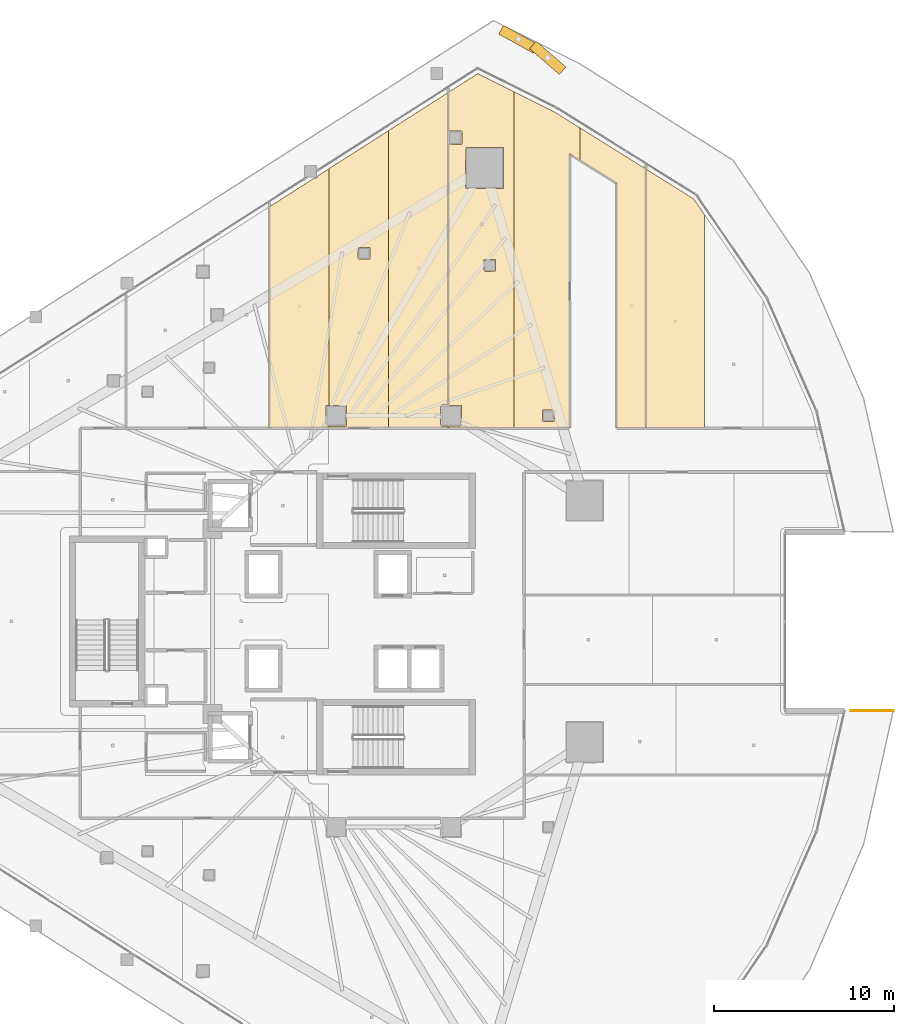
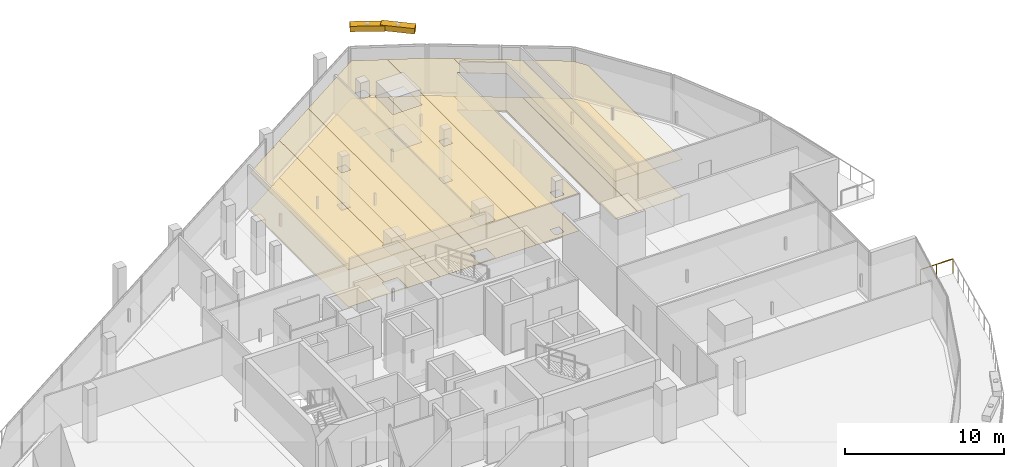
# One storey, part 42 of 42: 14 coverings, 2 shading devices, 1 railing.
"""IFC4 building model written with IfcOpenShell, lengths in metres."""

import ifcopenshell
import ifcopenshell.guid

model = None  # the IFC model being written
_history = None  # IfcOwnerHistory: only IFC2X3 demands one
_inside = {}  # id of a spatial element -> (the spatial element, [elements in it])
_under = {}  # id of a project, library or spatial element -> (it, [spatial elements below it])
_declared = {}  # id of a project -> (the project, [libraries it declares])
_typed = {}  # id of a type object -> (the type object, [elements of that type])
_made_of = {}  # id of a material, layer set ... -> (it, [elements and type objects made of it])


def new_model(schema):
    """Start an empty IFC model of exactly this schema.

    Asked for "IFC4X3", IfcOpenShell would pick the latest addendum, in which some entities
    have other attributes; the version numbers below select the first issue.
    IFC2X3 requires an IfcOwnerHistory on every rooted entity: one is made here for all.
    """
    global model, _history
    if schema == "IFC4X3":
        model = ifcopenshell.file(schema_version=(4, 3, 0, 0))
    else:
        model = ifcopenshell.file(schema=schema)
    _inside.clear()
    _under.clear()
    _declared.clear()
    _typed.clear()
    _made_of.clear()
    _history = None
    if model.schema == "IFC2X3":
        org = make("IfcOrganization", Name="unknown")
        user = make(
            "IfcPersonAndOrganization",
            ThePerson=make("IfcPerson", FamilyName="unknown"),
            TheOrganization=org,
        )
        app = make(
            "IfcApplication",
            ApplicationDeveloper=org,
            Version="unknown",
            ApplicationFullName="unknown",
            ApplicationIdentifier="unknown",
        )
        _history = make(
            "IfcOwnerHistory",
            OwningUser=user,
            OwningApplication=app,
            ChangeAction="ADDED",
            CreationDate=0,
        )
    return model


def make(cls, **values):
    """One entity of the class cls with the attributes given. An attribute that is None is left unset."""
    return model.create_entity(
        cls, **{name: value for name, value in values.items() if value is not None}
    )


def rooted(cls, **values):
    """An entity with a GlobalId (a new one), such as an element, a storey or a relation."""
    return make(cls, GlobalId=ifcopenshell.guid.new(), OwnerHistory=_history, **values)


def si_unit(unit_type, name, prefix=None):
    """IfcSIUnit, for example si_unit("LENGTHUNIT", "METRE", prefix="MILLI")."""
    return make("IfcSIUnit", UnitType=unit_type, Prefix=prefix, Name=name)


def assignment(units):
    """IfcUnitAssignment: the units of a project."""
    return None if units is None else make("IfcUnitAssignment", Units=units)


def point(xyz):
    """IfcCartesianPoint."""
    return None if xyz is None else make("IfcCartesianPoint", Coordinates=xyz)


def direction(xyz):
    """IfcDirection."""
    return None if xyz is None else make("IfcDirection", DirectionRatios=xyz)


def frame(location, z_axis=None, x_axis=None):
    """IfcAxis2Placement3D, a coordinate frame: its origin and axes. An axis left out is left unset."""
    return make(
        "IfcAxis2Placement3D",
        Location=point(location),
        Axis=direction(z_axis),
        RefDirection=direction(x_axis),
    )


def frame_2d(location, x_axis=None):
    """IfcAxis2Placement2D, a coordinate frame in the plane: its origin and x axis."""
    return make(
        "IfcAxis2Placement2D", Location=point(location), RefDirection=direction(x_axis)
    )


def origin():
    """The frame at (0, 0, 0) with its axes left unset."""
    return frame((0.0, 0.0, 0.0))


def origin_2d():
    """The frame at (0, 0) in the plane with its x axis left unset."""
    return frame_2d((0.0, 0.0))


def place(relative_to, where):
    """IfcLocalPlacement: puts the frame where relative to a parent placement (None: the world)."""
    return make(
        "IfcLocalPlacement", PlacementRelTo=relative_to, RelativePlacement=where
    )


def context(
    kind, dimensions, precision=None, world=None, true_north=None, identifier=None
):
    """IfcGeometricRepresentationContext, for example the 3D "Model" context."""
    return make(
        "IfcGeometricRepresentationContext",
        ContextIdentifier=identifier,
        ContextType=kind,
        CoordinateSpaceDimension=dimensions,
        Precision=precision,
        WorldCoordinateSystem=world,
        TrueNorth=true_north,
    )


def subcontext(parent, identifier, kind, view, scale=None):
    """IfcGeometricRepresentationSubContext, for example "Body" below "Model"."""
    return make(
        "IfcGeometricRepresentationSubContext",
        ContextIdentifier=identifier,
        ContextType=kind,
        ParentContext=parent,
        TargetScale=scale,
        TargetView=view,
    )


def project(units=None, contexts=None):
    """IfcProject with its units and contexts."""
    return rooted(
        "IfcProject",
        Name="project",
        RepresentationContexts=contexts,
        UnitsInContext=assignment(units),
    )


def spatial(cls, under=None, at=None, **own):
    """A site, building, storey or space (cls), placed at a placement, below another one or the project."""
    s = rooted(cls, ObjectPlacement=at, **own)
    if under is not None:
        _under.setdefault(under.id(), (under, []))[1].append(s)
    return s


def polyline(points):
    """IfcPolyline through the points."""
    return make("IfcPolyline", Points=[point(p) for p in points])


def profile(cls, at=None, kind="AREA", **sizes):
    """A parametric profile (cls). Its sizes go by their IFC names, for example OverallWidth=200.0."""
    return make(cls, ProfileType=kind, Position=at, **sizes)


def rectangle(**sizes):
    """IfcRectangleProfileDef."""
    return profile("IfcRectangleProfileDef", **sizes)


def circle(**sizes):
    """IfcCircleProfileDef."""
    return profile("IfcCircleProfileDef", **sizes)


def outline(outer, holes=None, kind="AREA"):
    """IfcArbitraryClosedProfileDef: a profile drawn as a closed curve; with holes, ...WithVoids."""
    if holes is None:
        return make("IfcArbitraryClosedProfileDef", ProfileType=kind, OuterCurve=outer)
    return make(
        "IfcArbitraryProfileDefWithVoids",
        ProfileType=kind,
        OuterCurve=outer,
        InnerCurves=holes,
    )


def extrude(swept, where, along, depth):
    """IfcExtrudedAreaSolid: the profile swept, set in the frame where, extruded along a direction by depth."""
    return make(
        "IfcExtrudedAreaSolid",
        SweptArea=swept,
        Position=where,
        ExtrudedDirection=direction(along),
        Depth=depth,
    )


def shape(context_of_items, identifier, shape_type, items):
    """IfcShapeRepresentation: the items that make up one representation, for example the "Body"."""
    return make(
        "IfcShapeRepresentation",
        ContextOfItems=context_of_items,
        RepresentationIdentifier=identifier,
        RepresentationType=shape_type,
        Items=items,
    )


def material(Name=None, Category=None):
    """IfcMaterial."""
    return make("IfcMaterial", Name=Name, Category=Category)


def layer(
    of_material, thickness, ventilated=None, Name=None, Category=None, Priority=None
):
    """IfcMaterialLayer: one layer of a wall or slab, of a material (None: an air gap)."""
    return make(
        "IfcMaterialLayer",
        Material=of_material,
        LayerThickness=thickness,
        IsVentilated=ventilated,
        Name=Name,
        Category=Category,
        Priority=Priority,
    )


def layer_set(layers, Name=None):
    """IfcMaterialLayerSet."""
    return make("IfcMaterialLayerSet", MaterialLayers=layers, LayerSetName=Name)


def made_of(thing, what):
    """Note that an element or type object is made of a material, layer set ...; save() writes the relation."""
    if what is not None:
        _made_of.setdefault(what.id(), (what, []))[1].append(thing)
    return thing


def type_object(cls, material=None, **own):
    """A type object (cls), such as IfcWallType, which elements share."""
    return made_of(rooted(cls, **own), material)


def element(
    cls,
    number,
    at=None,
    inside=None,
    cuts=None,
    type_object=None,
    material=None,
    context=None,
    identifier="Body",
    shape_type=None,
    held_by="IfcProductDefinitionShape",
    body=None,
    shapes=None,
    **own,
):
    """One element of the class cls, such as IfcWall. Its Tag is "e" and its number.

    at: its placement. inside: the storey or other place that contains it. cuts: it is an
    opening in that element (IfcRelVoidsElement). A single representation is given by context,
    identifier, shape_type and body (its items); several are given by shapes. held_by: the class
    of the entity that holds the representations. save() writes the other relations.
    """
    e = rooted(cls, Tag="e%d" % number, ObjectPlacement=at, **own)
    if body is not None:
        shapes = [shape(context, identifier, shape_type, body)]
    if shapes is not None:
        e.Representation = make(held_by, Representations=shapes)
    if inside is not None:
        _inside.setdefault(inside.id(), (inside, []))[1].append(e)
    if cuts is not None:
        rooted(
            "IfcRelVoidsElement", RelatingBuildingElement=cuts, RelatedOpeningElement=e
        )
    if type_object is not None:
        _typed.setdefault(type_object.id(), (type_object, []))[1].append(e)
    return made_of(e, material)


def aggregate(whole, parts):
    """IfcRelAggregates: a whole, such as a stair, and the parts it consists of."""
    return rooted("IfcRelAggregates", RelatingObject=whole, RelatedObjects=parts)


def save(model, path):
    """Write the relations noted so far, then the file.

    IfcRelAggregates (storeys below a building ...), IfcRelContainedInSpatialStructure (elements
    in a storey), IfcRelDefinesByType, IfcRelAssociatesMaterial and IfcRelDeclares: one each for
    every whole, place, type object, material and project.
    """
    for whole, parts in _under.values():
        aggregate(whole, parts)
    for where, things in _inside.values():
        rooted(
            "IfcRelContainedInSpatialStructure",
            RelatedElements=things,
            RelatingStructure=where,
        )
    for kind, things in _typed.values():
        rooted("IfcRelDefinesByType", RelatedObjects=things, RelatingType=kind)
    for what, things in _made_of.values():
        rooted("IfcRelAssociatesMaterial", RelatedObjects=things, RelatingMaterial=what)
    for by, libraries in _declared.values():
        rooted("IfcRelDeclares", RelatingContext=by, RelatedDefinitions=libraries)
    model.write(path)


model = new_model("IFC4")

# Units and contexts
model_context = context("Model", 3, precision=1e-05, world=origin(), true_north=direction((0.0, 1.0)))
body_context = subcontext(model_context, "Body", "Model", "MODEL_VIEW")
ifc_project = project(units=[si_unit("LENGTHUNIT", "METRE"), si_unit("AREAUNIT", "SQUARE_METRE"), si_unit("VOLUMEUNIT", "CUBIC_METRE"), si_unit("PLANEANGLEUNIT", "RADIAN"), si_unit("MASSUNIT", "GRAM", prefix="KILO")], contexts=[model_context])

# Site, building, storey
site_placement = place(None, origin())
site = spatial("IfcSite", under=ifc_project, at=site_placement, CompositionType="ELEMENT")
building_placement = place(site_placement, origin())
building = spatial("IfcBuilding", under=site, at=building_placement, Name="Qorvath Tower", CompositionType="ELEMENT")
storey_placement = place(building_placement, frame((0.0, 0.0, 121.949951171875)))
storey = spatial("IfcBuildingStorey", under=building, at=storey_placement, Name="L27", CompositionType="ELEMENT", Elevation=121.949951171875)

# Coverings
ifc_material_1 = material(Name="Acoustic mineral fibre ceiling tile", Category="gypsum")
ifc_layer_1 = layer(ifc_material_1, 0.030029296875)
ifc_layer_set_1 = layer_set([ifc_layer_1], Name="COV-CEIL")
covering_type_1 = type_object("IfcCoveringType", Name="COV-CEIL", PredefinedType="CEILING", material=ifc_layer_set_1)
covering_1_placement = place(storey_placement, frame((0.0, 0.0, 2.85009765625)))
element("IfcCovering", 1, at=covering_1_placement, inside=storey, type_object=covering_type_1, Name="L27 Suspended Acoustic Ceiling 015", PredefinedType="CEILING", context=body_context, shape_type="SweptSolid", body=[
    extrude(outline(polyline([(-23.996826171875, 10.762939453125), (-23.996826171875, 10.866943359375), (-24.125, 10.864990234375), (-24.18505859375, 10.925048828125), (-24.16748046875, 12.017333984375), (-23.996826171875, 12.017333984375), (-23.996826171875, 25.20751953125), (-24.652587890625, 24.78857421875), (-24.670166015625, 24.69140625), (-24.83203125, 24.673828125), (-27.309814453125, 23.090087890625), (-27.309814453125, 10.762939453125), (-23.996826171875, 10.762939453125)])), origin(), (0.0, 0.0, 1.0), 0.030029296875),
])
covering_2_placement = place(storey_placement, frame((0.0, 0.0, 2.85009765625)))
element("IfcCovering", 2, at=covering_2_placement, inside=storey, type_object=covering_type_1, Name="L27 Suspended Acoustic Ceiling 016", PredefinedType="CEILING", context=body_context, shape_type="SweptSolid", body=[
    extrude(outline(polyline([(-20.683837890625, 10.762939453125), (-20.683837890625, 27.3251953125), (-23.996826171875, 25.20751953125), (-23.996826171875, 12.017333984375), (-23.032470703125, 12.017333984375), (-23.032470703125, 10.882568359375), (-23.996826171875, 10.866943359375), (-23.996826171875, 10.762939453125), (-20.683837890625, 10.762939453125)]), holes=[polyline([(-22.38818359375, 20.219970703125), (-22.37060546875, 20.812255859375), (-21.73583984375, 20.812255859375), (-21.73583984375, 20.177490234375), (-22.328125, 20.159912109375), (-22.38818359375, 20.219970703125)])]), origin(), (0.0, 0.0, 1.0), 0.030029296875),
])
covering_3_placement = place(storey_placement, frame((0.0, 0.0, 2.85009765625)))
element("IfcCovering", 3, at=covering_3_placement, inside=storey, type_object=covering_type_1, Name="L27 Suspended Acoustic Ceiling 017", PredefinedType="CEILING", context=body_context, shape_type="SweptSolid", body=[
    extrude(outline(polyline([(-17.370849609375, 12.034912109375), (-17.370849609375, 29.442626953125), (-20.683837890625, 27.3251953125), (-20.683837890625, 10.762939453125), (-17.370849609375, 10.762939453125), (-17.370849609375, 10.864990234375), (-17.72509765625, 10.864990234375), (-17.784912109375, 10.925048828125), (-17.784912109375, 11.97509765625), (-17.72509765625, 12.034912109375), (-17.370849609375, 12.034912109375)])), origin(), (0.0, 0.0, 1.0), 0.030029296875),
])
covering_4_placement = place(storey_placement, frame((0.0, 0.0, 2.85009765625)))
element("IfcCovering", 4, at=covering_4_placement, inside=storey, type_object=covering_type_1, Name="L27 Suspended Acoustic Ceiling 018", PredefinedType="CEILING", context=body_context, shape_type="SweptSolid", body=[
    extrude(outline(polyline([(-13.696044921875, 10.762939453125), (-13.696044921875, 29.48388671875), (-15.721435546875, 30.49658203125), (-17.352783203125, 29.4541015625), (-17.352783203125, 27.28662109375), (-16.61376953125, 27.296630859375), (-16.59619140625, 26.604248046875), (-16.65625, 26.544189453125), (-17.352783203125, 26.57177734375), (-17.352783203125, 12.034912109375), (-16.632568359375, 12.017333984375), (-16.614990234375, 10.925048828125), (-16.675048828125, 10.864990234375), (-17.352783203125, 10.864990234375), (-17.352783203125, 10.762939453125), (-13.696044921875, 10.762939453125)]), holes=[polyline([(-16.404296875, 24.14599609375), (-16.38671875, 26.388427734375), (-14.3017578125, 26.388427734375), (-14.3017578125, 24.103759765625), (-16.34423828125, 24.086181640625), (-16.404296875, 24.14599609375)]), polyline([(-15.381103515625, 19.543212890625), (-15.363525390625, 20.135498046875), (-14.728759765625, 20.135498046875), (-14.728759765625, 19.500732421875), (-15.321044921875, 19.483154296875), (-15.381103515625, 19.543212890625)])]), origin(), (0.0, 0.0, 1.0), 0.030029296875),
])
covering_5_placement = place(storey_placement, frame((0.0, 0.0, 2.85009765625)))
element("IfcCovering", 5, at=covering_5_placement, inside=storey, type_object=covering_type_1, Name="L27 Suspended Acoustic Ceiling 019", PredefinedType="CEILING", context=body_context, shape_type="SweptSolid", body=[
    extrude(outline(polyline([(-10.039306640625, 25.671142578125), (-10.039306640625, 27.478759765625), (-11.463134765625, 28.367431640625), (-13.696044921875, 29.48388671875), (-13.696044921875, 10.762939453125), (-10.613037109375, 10.762939453125), (-10.608642578125, 26.02685546875), (-10.039306640625, 25.671142578125)]), holes=[polyline([(-12.135009765625, 11.175048828125), (-12.117431640625, 11.767333984375), (-11.482666015625, 11.767333984375), (-11.482666015625, 11.132568359375), (-12.074951171875, 11.114990234375), (-12.135009765625, 11.175048828125)])]), origin(), (0.0, 0.0, 1.0), 0.030029296875),
])
covering_6_placement = place(storey_placement, frame((0.0, 0.0, 2.85009765625)))
element("IfcCovering", 6, at=covering_6_placement, inside=storey, type_object=covering_type_1, Name="L27 Suspended Acoustic Ceiling 020", PredefinedType="CEILING", context=body_context, shape_type="SweptSolid", body=[
    extrude(outline(polyline([(-6.3828125, 10.762939453125), (-6.3828125, 25.1962890625), (-10.039306640625, 27.478759765625), (-10.039306640625, 25.671142578125), (-7.987060546875, 24.388916015625), (-7.987060546875, 10.762939453125), (-6.3828125, 10.762939453125)])), origin(), (0.0, 0.0, 1.0), 0.030029296875),
])
covering_7_placement = place(storey_placement, frame((0.0, 0.0, 2.85009765625)))
element("IfcCovering", 7, at=covering_7_placement, inside=storey, type_object=covering_type_1, Name="L27 Suspended Acoustic Ceiling 021", PredefinedType="CEILING", context=body_context, shape_type="SweptSolid", body=[
    extrude(outline(polyline([(-3.109130859375, 10.762939453125), (-3.109130859375, 22.655517578125), (-3.70166015625, 23.522705078125), (-6.36474609375, 25.18505859375), (-6.36474609375, 10.762939453125), (-3.109130859375, 10.762939453125)])), origin(), (0.0, 0.0, 1.0), 0.030029296875),
])
ifc_material_2 = material(Name="Low-VOC modular carpet tile", Category="textile")
ifc_layer_2 = layer(ifc_material_2, 0.014892578125)
ifc_layer_set_2 = layer_set([ifc_layer_2], Name="COV-FLOOR-CPT")
covering_type_2 = type_object("IfcCoveringType", Name="COV-FLOOR-CPT", PredefinedType="FLOORING", material=ifc_layer_set_2)
covering_8_placement = place(storey_placement, origin())
element("IfcCovering", 8, at=covering_8_placement, inside=storey, type_object=covering_type_2, Name="L27 Floor Finish 015", PredefinedType="FLOORING", context=body_context, shape_type="SweptSolid", body=[
    extrude(outline(polyline([(-23.996826171875, 10.762939453125), (-23.996826171875, 10.866943359375), (-24.125, 10.864990234375), (-24.18505859375, 10.925048828125), (-24.16748046875, 12.017333984375), (-23.996826171875, 12.017333984375), (-23.996826171875, 25.20751953125), (-24.652587890625, 24.78857421875), (-24.670166015625, 24.69140625), (-24.83203125, 24.673828125), (-27.309814453125, 23.090087890625), (-27.309814453125, 10.762939453125), (-23.996826171875, 10.762939453125)])), origin(), (0.0, 0.0, 1.0), 0.01513671875),
])
covering_9_placement = place(storey_placement, origin())
element("IfcCovering", 9, at=covering_9_placement, inside=storey, type_object=covering_type_2, Name="L27 Floor Finish 016", PredefinedType="FLOORING", context=body_context, shape_type="SweptSolid", body=[
    extrude(outline(polyline([(-20.683837890625, 10.762939453125), (-20.683837890625, 27.3251953125), (-23.996826171875, 25.20751953125), (-23.996826171875, 12.017333984375), (-23.032470703125, 12.017333984375), (-23.032470703125, 10.882568359375), (-23.996826171875, 10.866943359375), (-23.996826171875, 10.762939453125), (-20.683837890625, 10.762939453125)]), holes=[polyline([(-22.38818359375, 20.219970703125), (-22.37060546875, 20.812255859375), (-21.73583984375, 20.812255859375), (-21.73583984375, 20.177490234375), (-22.328125, 20.159912109375), (-22.38818359375, 20.219970703125)])]), origin(), (0.0, 0.0, 1.0), 0.01513671875),
])
covering_10_placement = place(storey_placement, origin())
element("IfcCovering", 10, at=covering_10_placement, inside=storey, type_object=covering_type_2, Name="L27 Floor Finish 017", PredefinedType="FLOORING", context=body_context, shape_type="SweptSolid", body=[
    extrude(outline(polyline([(-17.370849609375, 12.034912109375), (-17.370849609375, 29.442626953125), (-20.683837890625, 27.3251953125), (-20.683837890625, 10.762939453125), (-17.370849609375, 10.762939453125), (-17.370849609375, 10.864990234375), (-17.72509765625, 10.864990234375), (-17.784912109375, 10.925048828125), (-17.784912109375, 11.97509765625), (-17.72509765625, 12.034912109375), (-17.370849609375, 12.034912109375)])), origin(), (0.0, 0.0, 1.0), 0.01513671875),
])
covering_11_placement = place(storey_placement, origin())
element("IfcCovering", 11, at=covering_11_placement, inside=storey, type_object=covering_type_2, Name="L27 Floor Finish 018", PredefinedType="FLOORING", context=body_context, shape_type="SweptSolid", body=[
    extrude(outline(polyline([(-13.696044921875, 10.762939453125), (-13.696044921875, 29.48388671875), (-15.721435546875, 30.49658203125), (-17.352783203125, 29.4541015625), (-17.352783203125, 27.28662109375), (-16.61376953125, 27.296630859375), (-16.59619140625, 26.604248046875), (-16.65625, 26.544189453125), (-17.352783203125, 26.57177734375), (-17.352783203125, 12.034912109375), (-16.632568359375, 12.017333984375), (-16.614990234375, 10.925048828125), (-16.675048828125, 10.864990234375), (-17.352783203125, 10.864990234375), (-17.352783203125, 10.762939453125), (-13.696044921875, 10.762939453125)]), holes=[polyline([(-16.404296875, 24.14599609375), (-16.38671875, 26.388427734375), (-14.3017578125, 26.388427734375), (-14.3017578125, 24.103759765625), (-16.34423828125, 24.086181640625), (-16.404296875, 24.14599609375)]), polyline([(-15.381103515625, 19.543212890625), (-15.363525390625, 20.135498046875), (-14.728759765625, 20.135498046875), (-14.728759765625, 19.500732421875), (-15.321044921875, 19.483154296875), (-15.381103515625, 19.543212890625)])]), origin(), (0.0, 0.0, 1.0), 0.01513671875),
])
covering_12_placement = place(storey_placement, origin())
element("IfcCovering", 12, at=covering_12_placement, inside=storey, type_object=covering_type_2, Name="L27 Floor Finish 019", PredefinedType="FLOORING", context=body_context, shape_type="SweptSolid", body=[
    extrude(outline(polyline([(-10.039306640625, 25.671142578125), (-10.039306640625, 27.478759765625), (-11.463134765625, 28.367431640625), (-13.696044921875, 29.48388671875), (-13.696044921875, 10.762939453125), (-10.613037109375, 10.762939453125), (-10.608642578125, 26.02685546875), (-10.039306640625, 25.671142578125)]), holes=[polyline([(-12.135009765625, 11.175048828125), (-12.117431640625, 11.767333984375), (-11.482666015625, 11.767333984375), (-11.482666015625, 11.132568359375), (-12.074951171875, 11.114990234375), (-12.135009765625, 11.175048828125)])]), origin(), (0.0, 0.0, 1.0), 0.01513671875),
])
covering_13_placement = place(storey_placement, origin())
element("IfcCovering", 13, at=covering_13_placement, inside=storey, type_object=covering_type_2, Name="L27 Floor Finish 020", PredefinedType="FLOORING", context=body_context, shape_type="SweptSolid", body=[
    extrude(outline(polyline([(-6.3828125, 10.762939453125), (-6.3828125, 25.1962890625), (-10.039306640625, 27.478759765625), (-10.039306640625, 25.671142578125), (-7.987060546875, 24.388916015625), (-7.987060546875, 10.762939453125), (-6.3828125, 10.762939453125)])), origin(), (0.0, 0.0, 1.0), 0.01513671875),
])
covering_14_placement = place(storey_placement, origin())
element("IfcCovering", 14, at=covering_14_placement, inside=storey, type_object=covering_type_2, Name="L27 Floor Finish 021", PredefinedType="FLOORING", context=body_context, shape_type="SweptSolid", body=[
    extrude(outline(polyline([(-3.109130859375, 10.762939453125), (-3.109130859375, 22.655517578125), (-3.70166015625, 23.522705078125), (-6.36474609375, 25.18505859375), (-6.36474609375, 10.762939453125), (-3.109130859375, 10.762939453125)])), origin(), (0.0, 0.0, 1.0), 0.01513671875),
])

# Railing
ifc_material_3 = material(Name="Laminated safety glass and stainless steel AISI 316", Category="steel")
railing_type = type_object("IfcRailingType", Name="RL-EXT-GRD", PredefinedType="GUARDRAIL", material=ifc_material_3)
railing_placement = place(storey_placement, frame((5.048583984375, -4.968017578125, 0.0)))
element("IfcRailing", 15, at=railing_placement, inside=storey, type_object=railing_type, Name="Loggia Perimeter Guardrail L27-1.2", PredefinedType="GUARDRAIL", context=body_context, shape_type="SweptSolid", body=[
    extrude(circle(Radius=0.02392578125, at=origin_2d()), frame((0.0, 0.0, 1.09619140625), z_axis=(1.0, 0.0, 0.0), x_axis=(0.0, 1.0, 0.0)), (0.0, 0.0, 1.0), 2.366455078125),
    extrude(circle(Radius=0.02099609375, at=origin_2d()), origin(), (0.0, 0.0, 1.0), 1.072021484375),
    extrude(circle(Radius=0.02099609375, at=origin_2d()), frame((1.18310546875, 0.0, 0.0)), (0.0, 0.0, 1.0), 1.072021484375),
    extrude(circle(Radius=0.02099609375, at=origin_2d()), frame((2.366455078125, 0.0, 0.0)), (0.0, 0.0, 1.0), 1.072021484375),
])

# Shading devices
ifc_material_4 = material(Name="Anodised bronze-champagne aluminium", Category="aluminium")
shading_device_type = type_object("IfcShadingDeviceType", Name="SD-LOUVRE", PredefinedType="JALOUSIE", material=ifc_material_4)
for number, where, z_axis, x_axis, name in (
    (16, (-11.827392578125, 31.37255859375, 3.35009765625), (0.0, 0.0, 1.0), (-0.757553591462, 0.652772974367, 0.0), "Sinusoidal Wave Louvre Blade L27-05"),
    (17, (-13.46142578125, 32.406005859375, 3.35009765625), (0.0, 0.0, 1.0), (-0.874929220455, 0.484250822605, 0.0), "Sinusoidal Wave Louvre Blade L27-06"),
):
    element("IfcShadingDevice", number, at=place(storey_placement, frame(where, z_axis=z_axis, x_axis=x_axis)), inside=storey, type_object=shading_device_type, Name=name, PredefinedType="NOTDEFINED", context=body_context, shape_type="SweptSolid", body=[
        extrude(rectangle(XDim=2.199951171875, YDim=0.550048828125, at=origin_2d()), origin(), (0.0, 0.0, 1.0), 0.419921875),
    ])

save(model, "model.ifc")
